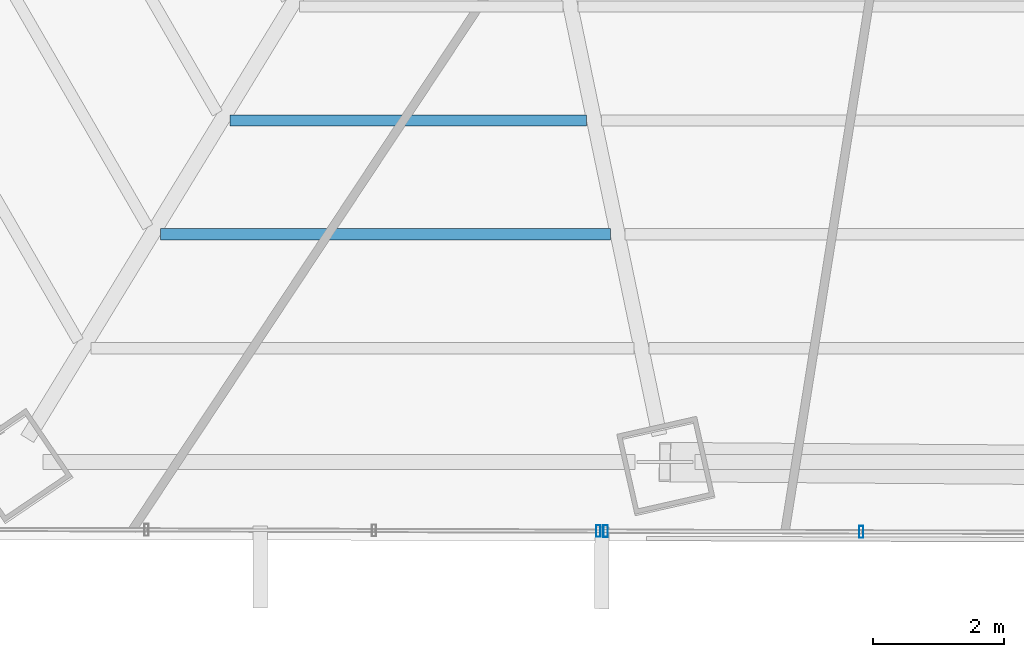
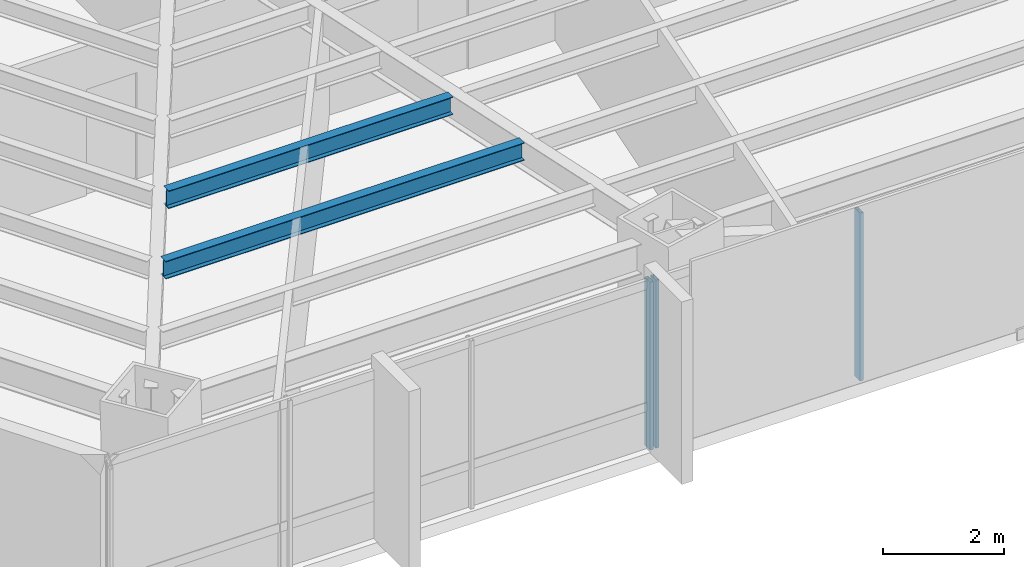
# One storey, part 7 of 37: 3 members, 2 beams, 2 elements without a shape of their own.
"""IFC4 building model written with IfcOpenShell, lengths in metres."""

from ifc_helpers import new_model, si_unit, direction, frame, origin, origin_2d, place, context, subcontext, project, spatial, hollow_rectangle, i_section, extrude, source, transform, mapped, material, material_profile, profile_set, type_object, type_shapes, element, aggregate, save


model = new_model("IFC4")

# Units and contexts
model_context = context("Model", 3, precision=1e-05, world=origin(), true_north=direction((0.0, 1.0)))
body_context = subcontext(model_context, "Body", "Model", "MODEL_VIEW")
ifc_project = project(units=[si_unit("LENGTHUNIT", "METRE"), si_unit("AREAUNIT", "SQUARE_METRE"), si_unit("VOLUMEUNIT", "CUBIC_METRE"), si_unit("PLANEANGLEUNIT", "RADIAN"), si_unit("MASSUNIT", "GRAM", prefix="KILO")], contexts=[model_context])

# Site, building, storey
site_placement = place(None, origin())
site = spatial("IfcSite", under=ifc_project, at=site_placement, CompositionType="ELEMENT")
building_placement = place(site_placement, origin())
building = spatial("IfcBuilding", under=site, at=building_placement, Name="Caelisora Broadcast Tower", CompositionType="ELEMENT")
storey_placement = place(building_placement, frame((0.0, 0.0, 45.85009765625)))
storey = spatial("IfcBuildingStorey", under=building, at=storey_placement, Name="L11", CompositionType="ELEMENT", Elevation=45.85009765625)

# Beams
ifc_material_1 = material(Name="Steel Grade 350 (AS/NZS 3679.1)", Category="steel")
ifc_material_profile_1 = material_profile(ifc_material_1, i_section(OverallWidth=0.172119140625, OverallDepth=0.358642578125, WebThickness=0.008056640625, FlangeThickness=0.012939453125, at=origin_2d()), Name="Steel Grade 350 (AS/NZS 3679.1)")
ifc_profile_set_1 = profile_set([ifc_material_profile_1], Name="Steel Grade 350 (AS/NZS 3679.1)")
beam_type = type_object("IfcBeamType", Name="SB02", PredefinedType="JOIST", material=ifc_profile_set_1)
shared_shape_1 = source(origin(), body_context, "Body", "SweptSolid", [
    extrude(i_section(OverallWidth=0.172119140625, OverallDepth=0.358642578125, WebThickness=0.008056640625, FlangeThickness=0.012939453125, at=origin_2d()), origin(), (0.0, 0.0, 1.0), 5.442626953125),
])
beam_1_placement = place(storey_placement, frame((26.386474609375, 10.447998046875, 3.220703125), z_axis=(1.0, 0.0, 0.0), x_axis=(0.0, 1.0, 0.0)))
element("IfcBeam", 1, at=beam_1_placement, inside=storey, type_object=beam_type, Name="L11 beam SB02", PredefinedType="JOIST", context=body_context, shape_type="MappedRepresentation", body=[
    mapped(shared_shape_1, transform((0.0, 0.0, 0.0), scale=1.0)),
])
shared_shape_2 = source(origin(), body_context, "Body", "SweptSolid", [
    extrude(i_section(OverallWidth=0.172119140625, OverallDepth=0.358642578125, WebThickness=0.008056640625, FlangeThickness=0.012939453125, at=origin_2d()), origin(), (0.0, 0.0, 1.0), 6.8642578125),
])
type_shapes(beam_type, [shared_shape_1, shared_shape_2])
beam_2_placement = place(storey_placement, frame((25.325439453125, 8.7099609375, 3.220703125), z_axis=(1.0, 0.0, 0.0), x_axis=(0.0, 1.0, 0.0)))
element("IfcBeam", 2, at=beam_2_placement, inside=storey, type_object=beam_type, Name="L11 beam SB02", PredefinedType="JOIST", context=body_context, shape_type="MappedRepresentation", body=[
    mapped(shared_shape_2, transform((0.0, 0.0, 0.0), scale=1.0)),
])

# Curtain wall, members
ifc_material_2 = material(Name="Unitised Aluminium Insulated Shadow-Box Spandrel Curtain Wall", Category="aluminium")
curtain_wall_type_1 = type_object("IfcCurtainWallType", Name="CW-SP1", PredefinedType="NOTDEFINED", material=ifc_material_2)
curtain_wall_1_placement = place(storey_placement, origin())
curtain_wall_1 = element("IfcCurtainWall", 3, at=curtain_wall_1_placement, inside=storey, type_object=curtain_wall_type_1, Name="L11 curtain wall CW-SP1", PredefinedType="NOTDEFINED")
ifc_material_3 = material(Name="Aluminium 6063-T6 Anodised Terracotta Bronze", Category="aluminium")
ifc_material_profile_2 = material_profile(ifc_material_3, hollow_rectangle(XDim=0.06494140625, YDim=0.179931640625, WallThickness=0.00341796875, at=origin_2d()), Name="Aluminium 6063-T6 Anodised Terracotta Bronze")
ifc_profile_set_2 = profile_set([ifc_material_profile_2], Name="Aluminium 6063-T6 Anodised Terracotta Bronze")
member_type = type_object("IfcMemberType", Name="CWM-02", PredefinedType="MULLION", material=ifc_profile_set_2)
shared_shape_3 = source(origin(), body_context, "Body", "SweptSolid", [
    extrude(hollow_rectangle(XDim=0.06494140625, YDim=0.179931640625, WallThickness=0.00341796875, at=origin_2d()), origin(), (0.0, 0.0, 1.0), 3.39990234375),
])
type_shapes(member_type, [shared_shape_3])
member_1_placement = place(storey_placement, frame((36.020751953125, 4.1689453125, 0.0), z_axis=(0.0, 0.0, 1.0), x_axis=(1.0, 0.0, 0.0)))
member_1 = element("IfcMember", 4, at=member_1_placement, type_object=member_type, Name="L11-CW-B06 mullion #2", PredefinedType="MULLION", context=body_context, shape_type="MappedRepresentation", body=[
    mapped(shared_shape_3, transform((0.0, 0.0, 0.0), scale=1.0)),
])
member_2_placement = place(storey_placement, frame((32.117919921875, 4.1796875, 0.0), z_axis=(0.0, 0.0, 1.0), x_axis=(1.0, 0.0, 0.0)))
member_2 = element("IfcMember", 5, at=member_2_placement, type_object=member_type, Name="L11-CW-B06 mullion #3", PredefinedType="MULLION", context=body_context, shape_type="MappedRepresentation", body=[
    mapped(shared_shape_3, transform((0.0, 0.0, 0.0), scale=1.0)),
])
aggregate(curtain_wall_1, [member_1, member_2])

# Curtain wall, member
ifc_material_4 = material(Name="Unitised Aluminium and Low-E Glass Curtain Wall", Category="glass")
curtain_wall_type_2 = type_object("IfcCurtainWallType", Name="CW-Z1", PredefinedType="NOTDEFINED", material=ifc_material_4)
curtain_wall_2_placement = place(storey_placement, origin())
curtain_wall_2 = element("IfcCurtainWall", 6, at=curtain_wall_2_placement, inside=storey, type_object=curtain_wall_type_2, Name="L11 curtain wall CW-Z1", PredefinedType="NOTDEFINED")
member_3_placement = place(storey_placement, frame((32.0078125, 4.18017578125, 0.0), z_axis=(0.0, 0.0, 1.0), x_axis=(1.0, 0.0, 0.0)))
member_3 = element("IfcMember", 7, at=member_3_placement, type_object=member_type, Name="L11-CW-B07 mullion #0", PredefinedType="MULLION", context=body_context, shape_type="MappedRepresentation", body=[
    mapped(shared_shape_3, transform((0.0, 0.0, 0.0), scale=1.0)),
])
aggregate(curtain_wall_2, [member_3])

save(model, "model.ifc")
